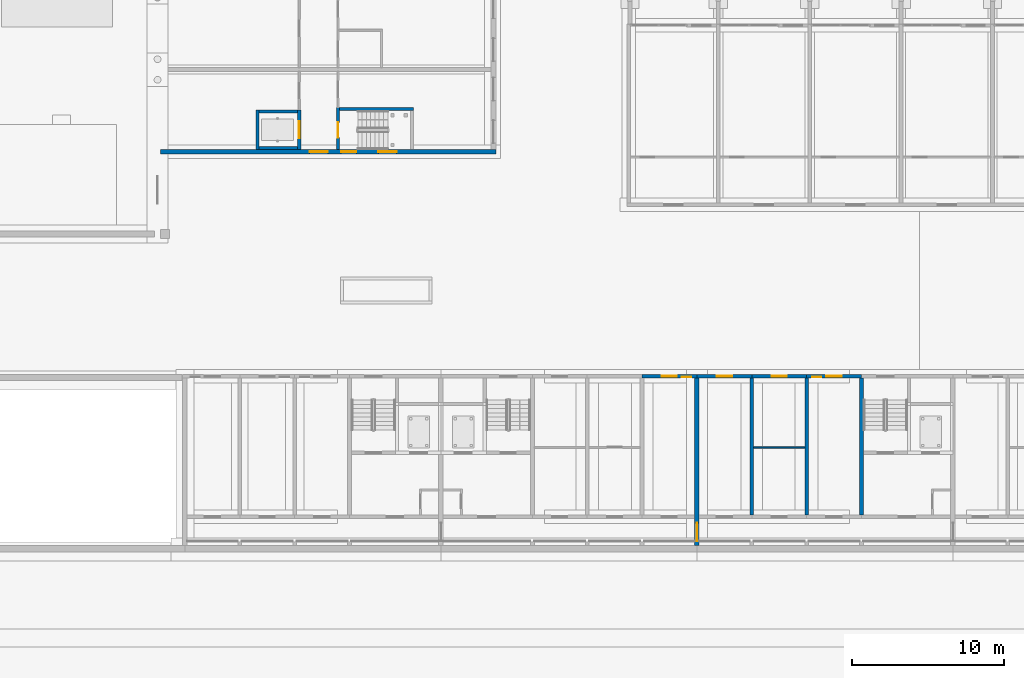
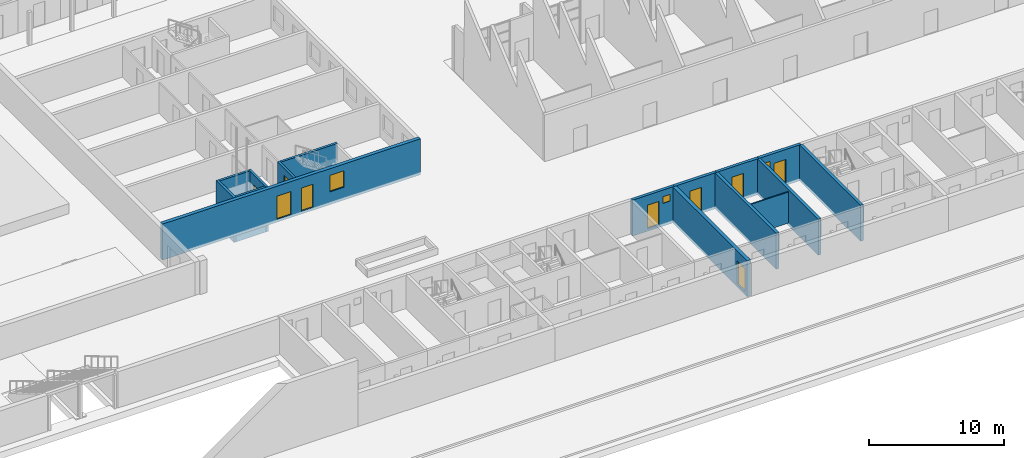
# One storey, part 56 of 112: 16 walls, 9 doors, 3 windows, 12 openings.
"""IFC4 building model written with IfcOpenShell, lengths in metres."""

import ifcopenshell
import ifcopenshell.guid

model = None  # the IFC model being written
_history = None  # IfcOwnerHistory: only IFC2X3 demands one
_inside = {}  # id of a spatial element -> (the spatial element, [elements in it])
_under = {}  # id of a project, library or spatial element -> (it, [spatial elements below it])
_declared = {}  # id of a project -> (the project, [libraries it declares])
_typed = {}  # id of a type object -> (the type object, [elements of that type])
_made_of = {}  # id of a material, layer set ... -> (it, [elements and type objects made of it])


def new_model(schema):
    """Start an empty IFC model of exactly this schema.

    Asked for "IFC4X3", IfcOpenShell would pick the latest addendum, in which some entities
    have other attributes; the version numbers below select the first issue.
    IFC2X3 requires an IfcOwnerHistory on every rooted entity: one is made here for all.
    """
    global model, _history
    if schema == "IFC4X3":
        model = ifcopenshell.file(schema_version=(4, 3, 0, 0))
    else:
        model = ifcopenshell.file(schema=schema)
    _inside.clear()
    _under.clear()
    _declared.clear()
    _typed.clear()
    _made_of.clear()
    _history = None
    if model.schema == "IFC2X3":
        org = make("IfcOrganization", Name="unknown")
        user = make(
            "IfcPersonAndOrganization",
            ThePerson=make("IfcPerson", FamilyName="unknown"),
            TheOrganization=org,
        )
        app = make(
            "IfcApplication",
            ApplicationDeveloper=org,
            Version="unknown",
            ApplicationFullName="unknown",
            ApplicationIdentifier="unknown",
        )
        _history = make(
            "IfcOwnerHistory",
            OwningUser=user,
            OwningApplication=app,
            ChangeAction="ADDED",
            CreationDate=0,
        )
    return model


def make(cls, **values):
    """One entity of the class cls with the attributes given. An attribute that is None is left unset."""
    return model.create_entity(
        cls, **{name: value for name, value in values.items() if value is not None}
    )


def rooted(cls, **values):
    """An entity with a GlobalId (a new one), such as an element, a storey or a relation."""
    return make(cls, GlobalId=ifcopenshell.guid.new(), OwnerHistory=_history, **values)


def si_unit(unit_type, name, prefix=None):
    """IfcSIUnit, for example si_unit("LENGTHUNIT", "METRE", prefix="MILLI")."""
    return make("IfcSIUnit", UnitType=unit_type, Prefix=prefix, Name=name)


def assignment(units):
    """IfcUnitAssignment: the units of a project."""
    return None if units is None else make("IfcUnitAssignment", Units=units)


def point(xyz):
    """IfcCartesianPoint."""
    return None if xyz is None else make("IfcCartesianPoint", Coordinates=xyz)


def direction(xyz):
    """IfcDirection."""
    return None if xyz is None else make("IfcDirection", DirectionRatios=xyz)


def frame(location, z_axis=None, x_axis=None):
    """IfcAxis2Placement3D, a coordinate frame: its origin and axes. An axis left out is left unset."""
    return make(
        "IfcAxis2Placement3D",
        Location=point(location),
        Axis=direction(z_axis),
        RefDirection=direction(x_axis),
    )


def frame_2d(location, x_axis=None):
    """IfcAxis2Placement2D, a coordinate frame in the plane: its origin and x axis."""
    return make(
        "IfcAxis2Placement2D", Location=point(location), RefDirection=direction(x_axis)
    )


def origin():
    """The frame at (0, 0, 0) with its axes left unset."""
    return frame((0.0, 0.0, 0.0))


def place(relative_to, where):
    """IfcLocalPlacement: puts the frame where relative to a parent placement (None: the world)."""
    return make(
        "IfcLocalPlacement", PlacementRelTo=relative_to, RelativePlacement=where
    )


def context(
    kind, dimensions, precision=None, world=None, true_north=None, identifier=None
):
    """IfcGeometricRepresentationContext, for example the 3D "Model" context."""
    return make(
        "IfcGeometricRepresentationContext",
        ContextIdentifier=identifier,
        ContextType=kind,
        CoordinateSpaceDimension=dimensions,
        Precision=precision,
        WorldCoordinateSystem=world,
        TrueNorth=true_north,
    )


def subcontext(parent, identifier, kind, view, scale=None):
    """IfcGeometricRepresentationSubContext, for example "Body" below "Model"."""
    return make(
        "IfcGeometricRepresentationSubContext",
        ContextIdentifier=identifier,
        ContextType=kind,
        ParentContext=parent,
        TargetScale=scale,
        TargetView=view,
    )


def project(units=None, contexts=None):
    """IfcProject with its units and contexts."""
    return rooted(
        "IfcProject",
        Name="project",
        RepresentationContexts=contexts,
        UnitsInContext=assignment(units),
    )


def spatial(cls, under=None, at=None, **own):
    """A site, building, storey or space (cls), placed at a placement, below another one or the project."""
    s = rooted(cls, ObjectPlacement=at, **own)
    if under is not None:
        _under.setdefault(under.id(), (under, []))[1].append(s)
    return s


def profile(cls, at=None, kind="AREA", **sizes):
    """A parametric profile (cls). Its sizes go by their IFC names, for example OverallWidth=200.0."""
    return make(cls, ProfileType=kind, Position=at, **sizes)


def rectangle(**sizes):
    """IfcRectangleProfileDef."""
    return profile("IfcRectangleProfileDef", **sizes)


def extrude(swept, where, along, depth):
    """IfcExtrudedAreaSolid: the profile swept, set in the frame where, extruded along a direction by depth."""
    return make(
        "IfcExtrudedAreaSolid",
        SweptArea=swept,
        Position=where,
        ExtrudedDirection=direction(along),
        Depth=depth,
    )


def shape(context_of_items, identifier, shape_type, items):
    """IfcShapeRepresentation: the items that make up one representation, for example the "Body"."""
    return make(
        "IfcShapeRepresentation",
        ContextOfItems=context_of_items,
        RepresentationIdentifier=identifier,
        RepresentationType=shape_type,
        Items=items,
    )


def material(Name=None, Category=None):
    """IfcMaterial."""
    return make("IfcMaterial", Name=Name, Category=Category)


def layer(
    of_material, thickness, ventilated=None, Name=None, Category=None, Priority=None
):
    """IfcMaterialLayer: one layer of a wall or slab, of a material (None: an air gap)."""
    return make(
        "IfcMaterialLayer",
        Material=of_material,
        LayerThickness=thickness,
        IsVentilated=ventilated,
        Name=Name,
        Category=Category,
        Priority=Priority,
    )


def layer_set(layers, Name=None):
    """IfcMaterialLayerSet."""
    return make("IfcMaterialLayerSet", MaterialLayers=layers, LayerSetName=Name)


def made_of(thing, what):
    """Note that an element or type object is made of a material, layer set ...; save() writes the relation."""
    if what is not None:
        _made_of.setdefault(what.id(), (what, []))[1].append(thing)
    return thing


def type_object(cls, material=None, **own):
    """A type object (cls), such as IfcWallType, which elements share."""
    return made_of(rooted(cls, **own), material)


def element(
    cls,
    number,
    at=None,
    inside=None,
    cuts=None,
    type_object=None,
    material=None,
    context=None,
    identifier="Body",
    shape_type=None,
    held_by="IfcProductDefinitionShape",
    body=None,
    shapes=None,
    **own,
):
    """One element of the class cls, such as IfcWall. Its Tag is "e" and its number.

    at: its placement. inside: the storey or other place that contains it. cuts: it is an
    opening in that element (IfcRelVoidsElement). A single representation is given by context,
    identifier, shape_type and body (its items); several are given by shapes. held_by: the class
    of the entity that holds the representations. save() writes the other relations.
    """
    e = rooted(cls, Tag="e%d" % number, ObjectPlacement=at, **own)
    if body is not None:
        shapes = [shape(context, identifier, shape_type, body)]
    if shapes is not None:
        e.Representation = make(held_by, Representations=shapes)
    if inside is not None:
        _inside.setdefault(inside.id(), (inside, []))[1].append(e)
    if cuts is not None:
        rooted(
            "IfcRelVoidsElement", RelatingBuildingElement=cuts, RelatedOpeningElement=e
        )
    if type_object is not None:
        _typed.setdefault(type_object.id(), (type_object, []))[1].append(e)
    return made_of(e, material)


def fill(opening, filler):
    """IfcRelFillsElement: the door or window that sits in an opening."""
    return rooted(
        "IfcRelFillsElement",
        RelatingOpeningElement=opening,
        RelatedBuildingElement=filler,
    )


def aggregate(whole, parts):
    """IfcRelAggregates: a whole, such as a stair, and the parts it consists of."""
    return rooted("IfcRelAggregates", RelatingObject=whole, RelatedObjects=parts)


def save(model, path):
    """Write the relations noted so far, then the file.

    IfcRelAggregates (storeys below a building ...), IfcRelContainedInSpatialStructure (elements
    in a storey), IfcRelDefinesByType, IfcRelAssociatesMaterial and IfcRelDeclares: one each for
    every whole, place, type object, material and project.
    """
    for whole, parts in _under.values():
        aggregate(whole, parts)
    for where, things in _inside.values():
        rooted(
            "IfcRelContainedInSpatialStructure",
            RelatedElements=things,
            RelatingStructure=where,
        )
    for kind, things in _typed.values():
        rooted("IfcRelDefinesByType", RelatedObjects=things, RelatingType=kind)
    for what, things in _made_of.values():
        rooted("IfcRelAssociatesMaterial", RelatedObjects=things, RelatingMaterial=what)
    for by, libraries in _declared.values():
        rooted("IfcRelDeclares", RelatingContext=by, RelatedDefinitions=libraries)
    model.write(path)


model = new_model("IFC4")

# Units and contexts
model_context = context("Model", 3, precision=1e-05, world=origin(), true_north=direction((0.0, 1.0)))
body_context = subcontext(model_context, "Body", "Model", "MODEL_VIEW")
ifc_project = project(units=[si_unit("LENGTHUNIT", "METRE"), si_unit("AREAUNIT", "SQUARE_METRE"), si_unit("VOLUMEUNIT", "CUBIC_METRE"), si_unit("PLANEANGLEUNIT", "RADIAN"), si_unit("MASSUNIT", "GRAM", prefix="KILO")], contexts=[model_context])

# Site, building, storey
site_placement = place(None, origin())
site = spatial("IfcSite", under=ifc_project, at=site_placement, CompositionType="ELEMENT")
building_placement = place(site_placement, origin())
building = spatial("IfcBuilding", under=site, at=building_placement, Name="Ridgestep Commons", CompositionType="ELEMENT")
storey_placement = place(building_placement, origin())
storey = spatial("IfcBuildingStorey", under=building, at=storey_placement, Name="L00", CompositionType="ELEMENT", Elevation=0.0)

# Wall, openings, doors, window
ifc_material_1 = material(Name="Precast concrete C40/50", Category="concrete")
ifc_layer_1 = layer(ifc_material_1, 0.300048828125)
ifc_layer_set_1 = layer_set([ifc_layer_1], Name="Annex wall 300")
wall_type_1 = type_object("IfcWallType", Name="Annex wall 300", PredefinedType="SOLIDWALL", material=ifc_layer_set_1)
wall_1_placement = place(storey_placement, frame((145.199951171875, 37.60009765625, -0.25), z_axis=(0.0, 0.0, 1.0), x_axis=(1.0, 0.0, 0.0)))
wall_1 = element("IfcWall", 1, at=wall_1_placement, inside=storey, type_object=wall_type_1, Name="Annex wall 300", PredefinedType="SOLIDWALL", context=body_context, shape_type="SweptSolid", body=[
    extrude(rectangle(XDim=22.0, YDim=0.300048828125, at=frame_2d((11.0, 0.0))), origin(), (0.0, 0.0, 1.0), 3.25),
])
opening_1_placement = place(wall_1_placement, frame((14.298095703125, 0.0, 1.14990234375)))
opening_1 = element("IfcOpeningElement", 2, at=opening_1_placement, cuts=wall_1, Name="Opening WK1", PredefinedType="OPENING", context=body_context, shape_type="SweptSolid", body=[
    extrude(rectangle(XDim=1.199951171875, YDim=1.5, at=frame_2d((0.60009765625, 0.75))), frame((0.0, 0.159912109375, 0.0), z_axis=(0.0, -1.0, 0.0), x_axis=(1.0, 0.0, 0.0)), (0.0, 0.0, 1.0), 0.320068359375),
])
opening_2_placement = place(wall_1_placement, frame((9.77490234375, 0.0, 0.25)))
opening_2 = element("IfcOpeningElement", 3, at=opening_2_placement, cuts=wall_1, Name="Opening C012", PredefinedType="OPENING", context=body_context, shape_type="SweptSolid", body=[
    extrude(rectangle(XDim=1.199951171875, YDim=2.10009765625, at=frame_2d((0.60009765625, 1.050048828125))), frame((0.0, 0.159912109375, 0.0), z_axis=(0.0, -1.0, 0.0), x_axis=(1.0, 0.0, 0.0)), (0.0, 0.0, 1.0), 0.320068359375),
])
opening_3_placement = place(wall_1_placement, frame((11.85009765625, 0.0, 0.25)))
opening_3 = element("IfcOpeningElement", 4, at=opening_3_placement, cuts=wall_1, Name="Opening C013", PredefinedType="OPENING", context=body_context, shape_type="SweptSolid", body=[
    extrude(rectangle(XDim=1.0, YDim=2.10009765625, at=frame_2d((0.5, 1.050048828125))), frame((0.0, 0.159912109375, 0.0), z_axis=(0.0, -1.0, 0.0), x_axis=(1.0, 0.0, 0.0)), (0.0, 0.0, 1.0), 0.320068359375),
])
ifc_material_2 = material(Name="Steel", Category="steel")
door_type_1 = type_object("IfcDoorType", Name="Community exit door 1000 x 2100", OperationType="SINGLE_SWING_LEFT", PredefinedType="DOOR", material=ifc_material_2)
door_1_placement = place(opening_3_placement, frame((1.0, 0.0, 0.0), z_axis=(0.0, 0.0, 1.0), x_axis=(-1.0, 0.0, 0.0)))
door_1 = element("IfcDoor", 5, at=door_1_placement, inside=storey, type_object=door_type_1, Name="Community exit door 1000 x 2100", OperationType="SINGLE_SWING_RIGHT", OverallHeight=2.10009765625, OverallWidth=1.0, PredefinedType="DOOR", context=body_context, shape_type="SweptSolid", body=[
    extrude(rectangle(XDim=1.0, YDim=2.10009765625, at=frame_2d((0.5, 1.050048828125))), frame((0.0, 0.02490234375, 0.0), z_axis=(0.0, -1.0, 0.0), x_axis=(1.0, 0.0, 0.0)), (0.0, 0.0, 1.0), 0.050048828125),
])
fill(opening_3, door_1)
ifc_material_3 = material(Name="Steel", Category="steel")
door_type_2 = type_object("IfcDoorType", Name="Community exit door 1200 x 2100", OperationType="SINGLE_SWING_LEFT", PredefinedType="DOOR", material=ifc_material_3)
door_2_placement = place(opening_2_placement, frame((1.199951171875, 0.0, 0.0), z_axis=(0.0, 0.0, 1.0), x_axis=(-1.0, 0.0, 0.0)))
door_2 = element("IfcDoor", 6, at=door_2_placement, inside=storey, type_object=door_type_2, Name="Community exit door 1200 x 2100", OperationType="SINGLE_SWING_RIGHT", OverallHeight=2.10009765625, OverallWidth=1.199951171875, PredefinedType="DOOR", context=body_context, shape_type="SweptSolid", body=[
    extrude(rectangle(XDim=1.199951171875, YDim=2.10009765625, at=frame_2d((0.60009765625, 1.050048828125))), frame((0.0, 0.02490234375, 0.0), z_axis=(0.0, -1.0, 0.0), x_axis=(1.0, 0.0, 0.0)), (0.0, 0.0, 1.0), 0.050048828125),
])
fill(opening_2, door_2)
ifc_material_4 = material(Name="Aluminium and glass", Category="aluminium")
window_type_1 = type_object("IfcWindowType", Name="Community window 1200 x 1500", PartitioningType="SINGLE_PANEL", PredefinedType="WINDOW", material=ifc_material_4)
window_1_placement = place(opening_1_placement, origin())
window_1 = element("IfcWindow", 7, at=window_1_placement, inside=storey, type_object=window_type_1, Name="Community window 1200 x 1500", OverallHeight=1.5, OverallWidth=1.199951171875, PartitioningType="SINGLE_PANEL", PredefinedType="WINDOW", context=body_context, shape_type="SweptSolid", body=[
    extrude(rectangle(XDim=1.199951171875, YDim=1.5, at=frame_2d((0.60009765625, 0.75))), frame((0.0, 0.030029296875, 0.0), z_axis=(0.0, -1.0, 0.0), x_axis=(1.0, 0.0, 0.0)), (0.0, 0.0, 1.0), 0.06005859375),
])
fill(opening_1, window_1)

# Walls
ifc_material_5 = material(Name="Concrete C30/37", Category="concrete")
ifc_layer_2 = layer(ifc_material_5, 0.199951171875)
ifc_layer_set_2 = layer_set([ifc_layer_2], Name="Community shaft wall 200")
wall_type_2 = type_object("IfcWallType", Name="Community shaft wall 200", PredefinedType="SOLIDWALL", material=ifc_layer_set_2)
for number, where, z_axis, x_axis, name in (
    (8, (151.64990234375, 40.25, -1.050048828125), (0.0, 0.0, 1.0), (1.0, 0.0, 0.0), "Community shaft wall 200"),
    (9, (151.64990234375, 37.85009765625, -1.050048828125), (0.0, 0.0, 1.0), (1.0, 0.0, 0.0), "Community shaft wall 200"),
):
    element("IfcWall", number, at=place(storey_placement, frame(where, z_axis=z_axis, x_axis=x_axis)), inside=storey, type_object=wall_type_2, Name=name, PredefinedType="SOLIDWALL", context=body_context, shape_type="SweptSolid", body=[
        extrude(rectangle(XDim=2.550048828125, YDim=0.199951171875, at=frame_2d((1.27490234375, 0.0))), origin(), (0.0, 0.0, 1.0), 4.050048828125),
    ])
wall_2_placement = place(storey_placement, frame((151.550048828125, 37.75, -1.050048828125), z_axis=(0.0, 0.0, 1.0), x_axis=(0.0, 1.0, 0.0)))
element("IfcWall", 10, at=wall_2_placement, inside=storey, type_object=wall_type_2, Name="Community shaft wall 200", PredefinedType="SOLIDWALL", context=body_context, shape_type="SweptSolid", body=[
    extrude(rectangle(XDim=2.60009765625, YDim=0.199951171875, at=frame_2d((1.300048828125, 0.0))), origin(), (0.0, 0.0, 1.0), 4.050048828125),
])

# Wall, opening, door
wall_3_placement = place(storey_placement, frame((154.300048828125, 37.75, -1.050048828125), z_axis=(0.0, 0.0, 1.0), x_axis=(0.0, 1.0, 0.0)))
wall_3 = element("IfcWall", 11, at=wall_3_placement, inside=storey, type_object=wall_type_2, Name="Community shaft wall 200", PredefinedType="SOLIDWALL", context=body_context, shape_type="SweptSolid", body=[
    extrude(rectangle(XDim=2.60009765625, YDim=0.199951171875, at=frame_2d((1.300048828125, 0.0))), origin(), (0.0, 0.0, 1.0), 4.050048828125),
])
opening_4_placement = place(wall_3_placement, frame((0.75, 0.0, 1.050048828125)))
opening_4 = element("IfcOpeningElement", 12, at=opening_4_placement, cuts=wall_3, Name="Opening LC2/00/1", PredefinedType="OPENING", context=body_context, shape_type="SweptSolid", body=[
    extrude(rectangle(XDim=1.10009765625, YDim=2.10009765625, at=frame_2d((0.550048828125, 1.050048828125))), frame((0.0, 0.10986328125, 0.0), z_axis=(0.0, -1.0, 0.0), x_axis=(1.0, 0.0, 0.0)), (0.0, 0.0, 1.0), 0.219970703125),
])
ifc_material_6 = material(Name="Stainless steel", Category="steel")
door_type_3 = type_object("IfcDoorType", Name="Lift landing door 1100 x 2100 FD60", OperationType="DOUBLE_DOOR_SLIDING", PredefinedType="DOOR", material=ifc_material_6)
door_3_placement = place(opening_4_placement, origin())
door_3 = element("IfcDoor", 13, at=door_3_placement, inside=storey, type_object=door_type_3, Name="Lift landing door", OperationType="SLIDING_TO_LEFT", OverallHeight=2.10009765625, OverallWidth=1.10009765625, PredefinedType="DOOR", context=body_context, shape_type="SweptSolid", body=[
    extrude(rectangle(XDim=1.10009765625, YDim=2.10009765625, at=frame_2d((0.550048828125, 1.050048828125))), frame((0.0, 0.02490234375, 0.0), z_axis=(0.0, -1.0, 0.0), x_axis=(1.0, 0.0, 0.0)), (0.0, 0.0, 1.0), 0.050048828125),
])
fill(opening_4, door_3)

ifc_material_7 = material(Name="Concrete C30/37", Category="concrete")
ifc_layer_3 = layer(ifc_material_7, 0.199951171875)
ifc_layer_set_3 = layer_set([ifc_layer_3], Name="Community stair wall 200")
wall_type_3 = type_object("IfcWallType", Name="Community stair wall 200", PredefinedType="SOLIDWALL", material=ifc_layer_set_3)
wall_4_placement = place(storey_placement, frame((156.85009765625, 37.75, 0.0), z_axis=(0.0, 0.0, 1.0), x_axis=(0.0, 1.0, 0.0)))
wall_4 = element("IfcWall", 14, at=wall_4_placement, inside=storey, type_object=wall_type_3, Name="Community stair wall 200", PredefinedType="SOLIDWALL", context=body_context, shape_type="SweptSolid", body=[
    extrude(rectangle(XDim=2.75, YDim=0.199951171875, at=frame_2d((1.375, 0.0))), origin(), (0.0, 0.0, 1.0), 2.75),
])
opening_5_placement = place(wall_4_placement, frame((0.77490234375, 0.0, 0.0)))
opening_5 = element("IfcOpeningElement", 15, at=opening_5_placement, cuts=wall_4, Name="Opening C083", PredefinedType="OPENING", context=body_context, shape_type="SweptSolid", body=[
    extrude(rectangle(XDim=1.0, YDim=2.10009765625, at=frame_2d((0.5, 1.050048828125))), frame((0.0, 0.10986328125, 0.0), z_axis=(0.0, -1.0, 0.0), x_axis=(1.0, 0.0, 0.0)), (0.0, 0.0, 1.0), 0.219970703125),
])
ifc_material_8 = material(Name="Timber and steel", Category="steel")
door_type_4 = type_object("IfcDoorType", Name="Community fire door 1000 x 2100", OperationType="SINGLE_SWING_LEFT", PredefinedType="DOOR", material=ifc_material_8)
door_4_placement = place(opening_5_placement, origin())
door_4 = element("IfcDoor", 16, at=door_4_placement, inside=storey, type_object=door_type_4, Name="Community fire door 1000 x 2100", OperationType="SINGLE_SWING_RIGHT", OverallHeight=2.10009765625, OverallWidth=1.0, PredefinedType="DOOR", context=body_context, shape_type="SweptSolid", body=[
    extrude(rectangle(XDim=1.0, YDim=2.10009765625, at=frame_2d((0.5, 1.050048828125))), frame((0.0, 0.02490234375, 0.0), z_axis=(0.0, -1.0, 0.0), x_axis=(1.0, 0.0, 0.0)), (0.0, 0.0, 1.0), 0.050048828125),
])
fill(opening_5, door_4)

# Walls
wall_5_placement = place(storey_placement, frame((156.949951171875, 40.39990234375, 0.0), z_axis=(0.0, 0.0, 1.0), x_axis=(1.0, 0.0, 0.0)))
element("IfcWall", 17, at=wall_5_placement, inside=storey, type_object=wall_type_3, Name="Community stair wall 200", PredefinedType="SOLIDWALL", context=body_context, shape_type="SweptSolid", body=[
    extrude(rectangle(XDim=4.840087890625, YDim=0.199951171875, at=frame_2d((2.419921875, 0.0))), origin(), (0.0, 0.0, 1.0), 2.75),
])
ifc_material_9 = material(Name="Concrete C30/37", Category="concrete")
ifc_layer_4 = layer(ifc_material_9, 0.25)
ifc_layer_set_4 = layer_set([ifc_layer_4], Name="Core cross wall 250")
wall_type_4 = type_object("IfcWallType", Name="Core cross wall 250", PredefinedType="SHEAR", material=ifc_layer_set_4)
wall_6_placement = place(storey_placement, frame((191.199951171875, 13.75, -0.25), z_axis=(0.0, 0.0, 1.0), x_axis=(0.0, 1.0, 0.0)))
element("IfcWall", 18, at=wall_6_placement, inside=storey, type_object=wall_type_4, Name="Cross wall D-00-1912", PredefinedType="SHEAR", context=body_context, shape_type="SweptSolid", body=[
    extrude(rectangle(XDim=9.0, YDim=0.25, at=frame_2d((4.5, 0.0))), origin(), (0.0, 0.0, 1.0), 3.25),
])
ifc_material_10 = material(Name="Precast concrete C40/50", Category="concrete")
ifc_layer_5 = layer(ifc_material_10, 0.25)
ifc_layer_set_5 = layer_set([ifc_layer_5], Name="Cross wall 250")
wall_type_5 = type_object("IfcWallType", Name="Cross wall 250", PredefinedType="SHEAR", material=ifc_layer_set_5)
for number, where, z_axis, x_axis, name in (
    (19, (184.0, 13.75, -0.25), (0.0, 0.0, 1.0), (0.0, 1.0, 0.0), "Cross wall D-00-1840"),
    (20, (187.60009765625, 13.75, -0.25), (0.0, 0.0, 1.0), (0.0, 1.0, 0.0), "Cross wall D-00-1876"),
):
    element("IfcWall", number, at=place(storey_placement, frame(where, z_axis=z_axis, x_axis=x_axis)), inside=storey, type_object=wall_type_5, Name=name, PredefinedType="SHEAR", context=body_context, shape_type="SweptSolid", body=[
        extrude(rectangle(XDim=9.0, YDim=0.25, at=frame_2d((4.5, 0.0))), origin(), (0.0, 0.0, 1.0), 3.25),
    ])

# Wall, opening, door
ifc_material_11 = material(Name="Precast concrete C40/50", Category="concrete")
ifc_layer_6 = layer(ifc_material_11, 0.300048828125)
ifc_layer_set_6 = layer_set([ifc_layer_6], Name="Division wall 300")
wall_type_6 = type_object("IfcWallType", Name="Division wall 300", PredefinedType="SHEAR", material=ifc_layer_set_6)
wall_7_placement = place(storey_placement, frame((180.39990234375, 11.75, -0.25), z_axis=(0.0, 0.0, 1.0), x_axis=(0.0, 1.0, 0.0)))
wall_7 = element("IfcWall", 21, at=wall_7_placement, inside=storey, type_object=wall_type_6, Name="Cross wall D-00-1804", PredefinedType="SHEAR", context=body_context, shape_type="SweptSolid", body=[
    extrude(rectangle(XDim=11.0, YDim=0.300048828125, at=frame_2d((5.5, 0.0))), origin(), (0.0, 0.0, 1.0), 3.25),
])
opening_6_placement = place(wall_7_placement, frame((0.300048828125, 0.0, 0.25)))
opening_6 = element("IfcOpeningElement", 22, at=opening_6_placement, cuts=wall_7, Name="Opening D/00/G1804", PredefinedType="OPENING", context=body_context, shape_type="SweptSolid", body=[
    extrude(rectangle(XDim=1.199951171875, YDim=2.10009765625, at=frame_2d((0.60009765625, 1.050048828125))), frame((0.0, 0.159912109375, 0.0), z_axis=(0.0, -1.0, 0.0), x_axis=(1.0, 0.0, 0.0)), (0.0, 0.0, 1.0), 0.320068359375),
])
ifc_material_12 = material(Name="Steel fire door", Category="steel")
door_type_5 = type_object("IfcDoorType", Name="Division fire door 1200 x 2100 EI 240", OperationType="DOUBLE_DOOR_SINGLE_SWING", PredefinedType="DOOR", material=ifc_material_12)
door_5_placement = place(opening_6_placement, origin())
door_5 = element("IfcDoor", 23, at=door_5_placement, inside=storey, type_object=door_type_5, Name="Division fire door D/00/G1804", OperationType="DOUBLE_DOOR_SINGLE_SWING", OverallHeight=2.10009765625, OverallWidth=1.199951171875, PredefinedType="DOOR", context=body_context, shape_type="SweptSolid", body=[
    extrude(rectangle(XDim=1.199951171875, YDim=2.10009765625, at=frame_2d((0.60009765625, 1.050048828125))), frame((0.0, 0.02490234375, 0.0), z_axis=(0.0, -1.0, 0.0), x_axis=(1.0, 0.0, 0.0)), (0.0, 0.0, 1.0), 0.050048828125),
])
fill(opening_6, door_5)

# Wall, openings, door, window
ifc_material_13 = material(Name="Precast concrete C40/50", Category="concrete")
ifc_layer_7 = layer(ifc_material_13, 0.25)
ifc_layer_set_7 = layer_set([ifc_layer_7], Name="North facade panel 250")
wall_type_7 = type_object("IfcWallType", Name="North facade panel 250", PredefinedType="SOLIDWALL", material=ifc_layer_set_7)
wall_8_placement = place(storey_placement, frame((176.800048828125, 22.875, -0.25), z_axis=(0.0, 0.0, 1.0), x_axis=(1.0, 0.0, 0.0)))
wall_8 = element("IfcWall", 24, at=wall_8_placement, inside=storey, type_object=wall_type_7, Name="North panel D2T1 L00", PredefinedType="SOLIDWALL", context=body_context, shape_type="SweptSolid", body=[
    extrude(rectangle(XDim=3.599853515625, YDim=0.25, at=frame_2d((1.7998046875, 0.0))), origin(), (0.0, 0.0, 1.0), 3.25),
])
opening_7_placement = place(wall_8_placement, frame((2.61865234375, 0.0, 2.050048828125)))
opening_7 = element("IfcOpeningElement", 25, at=opening_7_placement, cuts=wall_8, Name="Opening W01", PredefinedType="OPENING", context=body_context, shape_type="SweptSolid", body=[
    extrude(rectangle(XDim=0.60009765625, YDim=0.60009765625, at=frame_2d((0.300048828125, 0.300048828125))), frame((0.0, 0.135009765625, 0.0), z_axis=(0.0, -1.0, 0.0), x_axis=(1.0, 0.0, 0.0)), (0.0, 0.0, 1.0), 0.27001953125),
])
opening_8_placement = place(wall_8_placement, frame((1.28759765625, 0.0, 0.25)))
opening_8 = element("IfcOpeningElement", 26, at=opening_8_placement, cuts=wall_8, Name="Opening D2-00p/6", PredefinedType="OPENING", context=body_context, shape_type="SweptSolid", body=[
    extrude(rectangle(XDim=1.0, YDim=2.10009765625, at=frame_2d((0.5, 1.050048828125))), frame((0.0, 0.135009765625, 0.0), z_axis=(0.0, -1.0, 0.0), x_axis=(1.0, 0.0, 0.0)), (0.0, 0.0, 1.0), 0.27001953125),
])
ifc_material_14 = material(Name="Steel door leaf", Category="steel")
door_type_6 = type_object("IfcDoorType", Name="Exterior door 1000 x 2100", OperationType="NOTDEFINED", PredefinedType="DOOR", material=ifc_material_14)
door_6_placement = place(opening_8_placement, origin())
door_6 = element("IfcDoor", 27, at=door_6_placement, inside=storey, type_object=door_type_6, Name="Exterior door D2-00p/6", OperationType="SINGLE_SWING_LEFT", OverallHeight=2.10009765625, OverallWidth=1.0, PredefinedType="DOOR", context=body_context, shape_type="SweptSolid", body=[
    extrude(rectangle(XDim=1.0, YDim=2.10009765625, at=frame_2d((0.5, 1.050048828125))), frame((0.0, 0.02490234375, 0.0), z_axis=(0.0, -1.0, 0.0), x_axis=(1.0, 0.0, 0.0)), (0.0, 0.0, 1.0), 0.050048828125),
])
fill(opening_8, door_6)
ifc_material_15 = material(Name="Aluminium 6063-T6 and glass", Category="aluminium")
window_type_2 = type_object("IfcWindowType", Name="Flat window 600 x 600", PartitioningType="SINGLE_PANEL", PredefinedType="WINDOW", material=ifc_material_15)
window_2_placement = place(opening_7_placement, origin())
window_2 = element("IfcWindow", 28, at=window_2_placement, inside=storey, type_object=window_type_2, Name="Window D2-00p 2", OverallHeight=0.60009765625, OverallWidth=0.60009765625, PartitioningType="SINGLE_PANEL", PredefinedType="WINDOW", context=body_context, shape_type="SweptSolid", body=[
    extrude(rectangle(XDim=0.60009765625, YDim=0.60009765625, at=frame_2d((0.300048828125, 0.300048828125))), frame((0.0, -0.02490234375, 0.0), z_axis=(0.0, -1.0, 0.0), x_axis=(1.0, 0.0, 0.0)), (0.0, 0.0, 1.0), 0.06005859375),
])
fill(opening_7, window_2)

# Wall, opening, door
wall_9_placement = place(storey_placement, frame((180.39990234375, 22.875, -0.25), z_axis=(0.0, 0.0, 1.0), x_axis=(1.0, 0.0, 0.0)))
wall_9 = element("IfcWall", 29, at=wall_9_placement, inside=storey, type_object=wall_type_7, Name="North panel D3T1 L00", PredefinedType="SOLIDWALL", context=body_context, shape_type="SweptSolid", body=[
    extrude(rectangle(XDim=3.60009765625, YDim=0.25, at=frame_2d((1.800048828125, 0.0))), origin(), (0.0, 0.0, 1.0), 3.25),
])
opening_9_placement = place(wall_9_placement, frame((1.3125, 0.0, 0.25)))
opening_9 = element("IfcOpeningElement", 30, at=opening_9_placement, cuts=wall_9, Name="Opening D3-00p/2", PredefinedType="OPENING", context=body_context, shape_type="SweptSolid", body=[
    extrude(rectangle(XDim=1.0, YDim=2.10009765625, at=frame_2d((0.5, 1.050048828125))), frame((0.0, 0.135009765625, 0.0), z_axis=(0.0, -1.0, 0.0), x_axis=(1.0, 0.0, 0.0)), (0.0, 0.0, 1.0), 0.27001953125),
])
door_7_placement = place(opening_9_placement, origin())
door_7 = element("IfcDoor", 31, at=door_7_placement, inside=storey, type_object=door_type_6, Name="Exterior door D3-00p/2", OperationType="SINGLE_SWING_LEFT", OverallHeight=2.10009765625, OverallWidth=1.0, PredefinedType="DOOR", context=body_context, shape_type="SweptSolid", body=[
    extrude(rectangle(XDim=1.0, YDim=2.10009765625, at=frame_2d((0.5, 1.050048828125))), frame((0.0, 0.02490234375, 0.0), z_axis=(0.0, -1.0, 0.0), x_axis=(1.0, 0.0, 0.0)), (0.0, 0.0, 1.0), 0.050048828125),
])
fill(opening_9, door_7)

wall_10_placement = place(storey_placement, frame((184.0, 22.875, -0.25), z_axis=(0.0, 0.0, 1.0), x_axis=(1.0, 0.0, 0.0)))
wall_10 = element("IfcWall", 32, at=wall_10_placement, inside=storey, type_object=wall_type_7, Name="North panel D3T2 L00", PredefinedType="SOLIDWALL", context=body_context, shape_type="SweptSolid", body=[
    extrude(rectangle(XDim=3.60009765625, YDim=0.25, at=frame_2d((1.800048828125, 0.0))), origin(), (0.0, 0.0, 1.0), 3.25),
])
opening_10_placement = place(wall_10_placement, frame((1.300048828125, 0.0, 0.25)))
opening_10 = element("IfcOpeningElement", 33, at=opening_10_placement, cuts=wall_10, Name="Opening D3-00p/4", PredefinedType="OPENING", context=body_context, shape_type="SweptSolid", body=[
    extrude(rectangle(XDim=1.0, YDim=2.10009765625, at=frame_2d((0.5, 1.050048828125))), frame((0.0, 0.135009765625, 0.0), z_axis=(0.0, -1.0, 0.0), x_axis=(1.0, 0.0, 0.0)), (0.0, 0.0, 1.0), 0.27001953125),
])
door_8_placement = place(opening_10_placement, origin())
door_8 = element("IfcDoor", 34, at=door_8_placement, inside=storey, type_object=door_type_6, Name="Exterior door D3-00p/4", OperationType="SINGLE_SWING_LEFT", OverallHeight=2.10009765625, OverallWidth=1.0, PredefinedType="DOOR", context=body_context, shape_type="SweptSolid", body=[
    extrude(rectangle(XDim=1.0, YDim=2.10009765625, at=frame_2d((0.5, 1.050048828125))), frame((0.0, 0.02490234375, 0.0), z_axis=(0.0, -1.0, 0.0), x_axis=(1.0, 0.0, 0.0)), (0.0, 0.0, 1.0), 0.050048828125),
])
fill(opening_10, door_8)

# Wall, openings, door, window
wall_11_placement = place(storey_placement, frame((187.60009765625, 22.875, -0.25), z_axis=(0.0, 0.0, 1.0), x_axis=(1.0, 0.0, 0.0)))
wall_11 = element("IfcWall", 35, at=wall_11_placement, inside=storey, type_object=wall_type_7, Name="North panel D3T3 L00", PredefinedType="SOLIDWALL", context=body_context, shape_type="SweptSolid", body=[
    extrude(rectangle(XDim=3.599853515625, YDim=0.25, at=frame_2d((1.7998046875, 0.0))), origin(), (0.0, 0.0, 1.0), 3.25),
])
opening_11_placement = place(wall_11_placement, frame((0.362548828125, 0.0, 2.050048828125)))
opening_11 = element("IfcOpeningElement", 36, at=opening_11_placement, cuts=wall_11, Name="Opening W01", PredefinedType="OPENING", context=body_context, shape_type="SweptSolid", body=[
    extrude(rectangle(XDim=0.60009765625, YDim=0.60009765625, at=frame_2d((0.300048828125, 0.300048828125))), frame((0.0, 0.135009765625, 0.0), z_axis=(0.0, -1.0, 0.0), x_axis=(1.0, 0.0, 0.0)), (0.0, 0.0, 1.0), 0.27001953125),
])
opening_12_placement = place(wall_11_placement, frame((1.300048828125, 0.0, 0.25)))
opening_12 = element("IfcOpeningElement", 37, at=opening_12_placement, cuts=wall_11, Name="Opening D3-00p/6", PredefinedType="OPENING", context=body_context, shape_type="SweptSolid", body=[
    extrude(rectangle(XDim=1.0, YDim=2.10009765625, at=frame_2d((0.5, 1.050048828125))), frame((0.0, 0.135009765625, 0.0), z_axis=(0.0, -1.0, 0.0), x_axis=(1.0, 0.0, 0.0)), (0.0, 0.0, 1.0), 0.27001953125),
])
door_9_placement = place(opening_12_placement, origin())
door_9 = element("IfcDoor", 38, at=door_9_placement, inside=storey, type_object=door_type_6, Name="Exterior door D3-00p/6", OperationType="SINGLE_SWING_LEFT", OverallHeight=2.10009765625, OverallWidth=1.0, PredefinedType="DOOR", context=body_context, shape_type="SweptSolid", body=[
    extrude(rectangle(XDim=1.0, YDim=2.10009765625, at=frame_2d((0.5, 1.050048828125))), frame((0.0, 0.02490234375, 0.0), z_axis=(0.0, -1.0, 0.0), x_axis=(1.0, 0.0, 0.0)), (0.0, 0.0, 1.0), 0.050048828125),
])
fill(opening_12, door_9)
window_3_placement = place(opening_11_placement, origin())
window_3 = element("IfcWindow", 39, at=window_3_placement, inside=storey, type_object=window_type_2, Name="Window D3-00p 2", OverallHeight=0.60009765625, OverallWidth=0.60009765625, PartitioningType="SINGLE_PANEL", PredefinedType="WINDOW", context=body_context, shape_type="SweptSolid", body=[
    extrude(rectangle(XDim=0.60009765625, YDim=0.60009765625, at=frame_2d((0.300048828125, 0.300048828125))), frame((0.0, -0.02490234375, 0.0), z_axis=(0.0, -1.0, 0.0), x_axis=(1.0, 0.0, 0.0)), (0.0, 0.0, 1.0), 0.06005859375),
])
fill(opening_11, window_3)

# Wall
ifc_material_16 = material(Name="Common brick 110 mm", Category="masonry")
ifc_layer_8 = layer(ifc_material_16, 0.110107421875)
ifc_layer_set_8 = layer_set([ifc_layer_8], Name="Partition 110")
wall_type_8 = type_object("IfcWallType", Name="Partition 110", PredefinedType="PARTITIONING", material=ifc_layer_set_8)
wall_12_placement = place(storey_placement, frame((184.125, 18.205078125, 0.0), z_axis=(0.0, 0.0, 1.0), x_axis=(1.0, 0.0, 0.0)))
element("IfcWall", 40, at=wall_12_placement, inside=storey, type_object=wall_type_8, Name="Partition D3-00p", PredefinedType="PARTITIONING", context=body_context, shape_type="SweptSolid", body=[
    extrude(rectangle(XDim=3.35009765625, YDim=0.110107421875, at=frame_2d((1.675048828125, 0.0))), origin(), (0.0, 0.0, 1.0), 2.800048828125),
])

save(model, "model.ifc")
